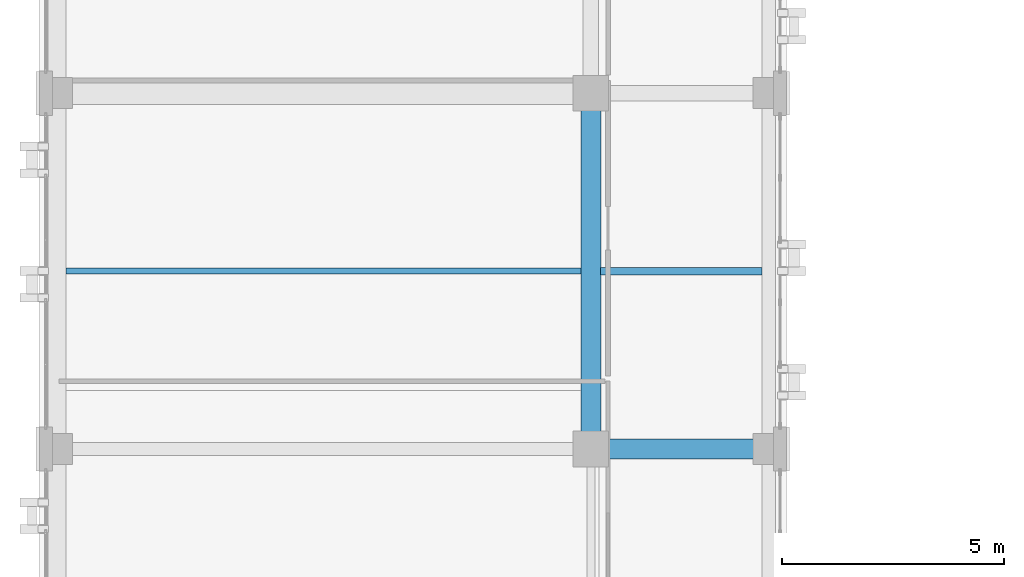
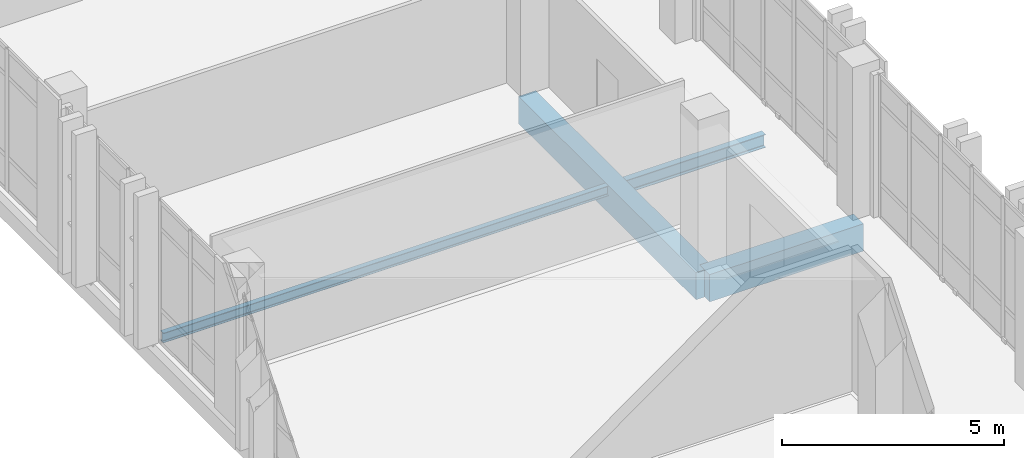
# One storey, part 67 of 165: 4 beams.
"""IFC4 building model written with IfcOpenShell, lengths in metres."""

from ifc_helpers import new_model, si_unit, direction, frame, origin, origin_2d, place, context, subcontext, project, spatial, rectangle, i_section, extrude, material, material_profile, profile_set, type_object, element, save


model = new_model("IFC4")

# Units and contexts
model_context = context("Model", 3, precision=1e-05, world=origin(), true_north=direction((0.0, 1.0)))
body_context = subcontext(model_context, "Body", "Model", "MODEL_VIEW")
ifc_project = project(units=[si_unit("LENGTHUNIT", "METRE"), si_unit("AREAUNIT", "SQUARE_METRE"), si_unit("VOLUMEUNIT", "CUBIC_METRE"), si_unit("PLANEANGLEUNIT", "RADIAN"), si_unit("MASSUNIT", "GRAM", prefix="KILO")], contexts=[model_context])

# Site, building, storey
site_placement = place(None, origin())
site = spatial("IfcSite", under=ifc_project, at=site_placement, CompositionType="ELEMENT")
building_placement = place(site_placement, origin())
building = spatial("IfcBuilding", under=site, at=building_placement, Name="Qalavern Law Courts", CompositionType="ELEMENT")
storey_placement = place(building_placement, frame((0.0, 0.0, 14.39990234375)))
storey = spatial("IfcBuildingStorey", under=building, at=storey_placement, Name="L03", CompositionType="ELEMENT", Elevation=14.39990234375)

# Beams
ifc_material_1 = material(Name="Concrete C40/50", Category="concrete")
ifc_material_profile_1 = material_profile(ifc_material_1, rectangle(XDim=0.449951171875, YDim=0.75, at=origin_2d()), Name="RC 450x750")
ifc_profile_set_1 = profile_set([ifc_material_profile_1], Name="Concrete C40/50")
beam_type_1 = type_object("IfcBeamType", Name="STR-BM-RC450x750", PredefinedType="BEAM", material=ifc_profile_set_1)
beam_1_placement = place(storey_placement, frame((14.39990234375, 65.39990234375, -0.659912109375), z_axis=(1.0, 0.0, 0.0), x_axis=(0.0, 1.0, 0.0)))
element("IfcBeam", 1, at=beam_1_placement, inside=storey, type_object=beam_type_1, Name="V3 X-beam 4-2 L03", PredefinedType="BEAM", context=body_context, shape_type="SweptSolid", body=[
    extrude(rectangle(XDim=0.449951171875, YDim=0.75, at=origin_2d()), origin(), (0.0, 0.0, 1.0), 4.0),
])
beam_2_placement = place(storey_placement, frame((14.39990234375, 65.39990234375, -0.659912109375), z_axis=(0.0, 1.0, 0.0), x_axis=(-1.0, 0.0, 0.0)))
element("IfcBeam", 2, at=beam_2_placement, inside=storey, type_object=beam_type_1, Name="V3 Y-beam 2-4 L03", PredefinedType="BEAM", context=body_context, shape_type="SweptSolid", body=[
    extrude(rectangle(XDim=0.449951171875, YDim=0.75, at=origin_2d()), origin(), (0.0, 0.0, 1.0), 8.0),
])
ifc_material_2 = material(Name="Steel S355", Category="steel")
ifc_material_profile_2 = material_profile(ifc_material_2, i_section(OverallWidth=0.135009765625, OverallDepth=0.27001953125, WebThickness=0.006591796875, FlangeThickness=0.01025390625, FilletRadius=0.014892578125, at=origin_2d()), Name="IPE 270")
ifc_profile_set_2 = profile_set([ifc_material_profile_2], Name="Steel S355")
beam_type_2 = type_object("IfcBeamType", Name="STR-JST-IPE270", PredefinedType="JOIST", material=ifc_profile_set_2)
beam_3_placement = place(storey_placement, frame((2.597900390625, 69.39990234375, -0.419921875), z_axis=(1.0, 0.0, 0.0), x_axis=(0.0, 1.0, 0.0)))
element("IfcBeam", 3, at=beam_3_placement, inside=storey, type_object=beam_type_2, Name="V3 secondary joist 1.4.1 L03", PredefinedType="JOIST", context=body_context, shape_type="SweptSolid", body=[
    extrude(i_section(OverallWidth=0.135009765625, OverallDepth=0.27001953125, WebThickness=0.006591796875, FlangeThickness=0.01025390625, FilletRadius=0.014892578125, at=origin_2d()), origin(), (0.0, 0.0, 1.0), 11.5791015625),
])
ifc_material_profile_3 = material_profile(ifc_material_2, i_section(OverallWidth=0.169921875, OverallDepth=0.360107421875, WebThickness=0.008056640625, FlangeThickness=0.0126953125, FilletRadius=0.01806640625, at=origin_2d()), Name="IPE 360")
ifc_profile_set_3 = profile_set([ifc_material_profile_3], Name="Steel S355")
beam_type_3 = type_object("IfcBeamType", Name="STR-JST-IPE360", PredefinedType="JOIST", material=ifc_profile_set_3)
beam_4_placement = place(storey_placement, frame((14.623046875, 69.39990234375, -0.46484375), z_axis=(1.0, 0.0, 0.0), x_axis=(0.0, 1.0, 0.0)))
element("IfcBeam", 4, at=beam_4_placement, inside=storey, type_object=beam_type_3, Name="V3 secondary joist 2.4.1 L03", PredefinedType="JOIST", context=body_context, shape_type="SweptSolid", body=[
    extrude(i_section(OverallWidth=0.169921875, OverallDepth=0.360107421875, WebThickness=0.008056640625, FlangeThickness=0.0126953125, FilletRadius=0.01806640625, at=origin_2d()), origin(), (0.0, 0.0, 1.0), 3.62890625),
])

save(model, "model.ifc")
